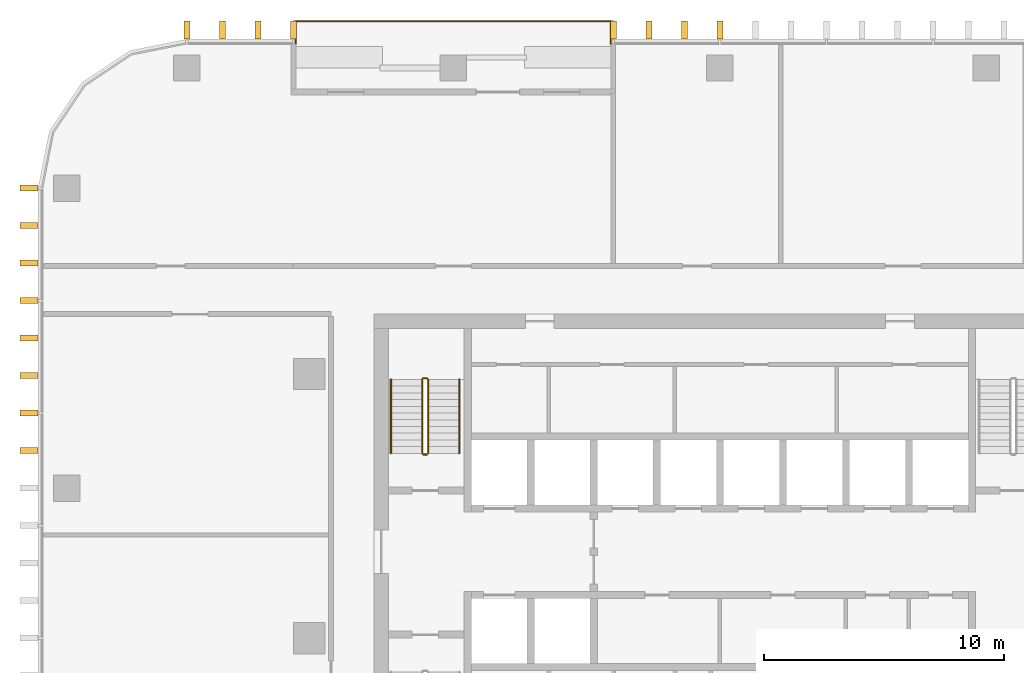
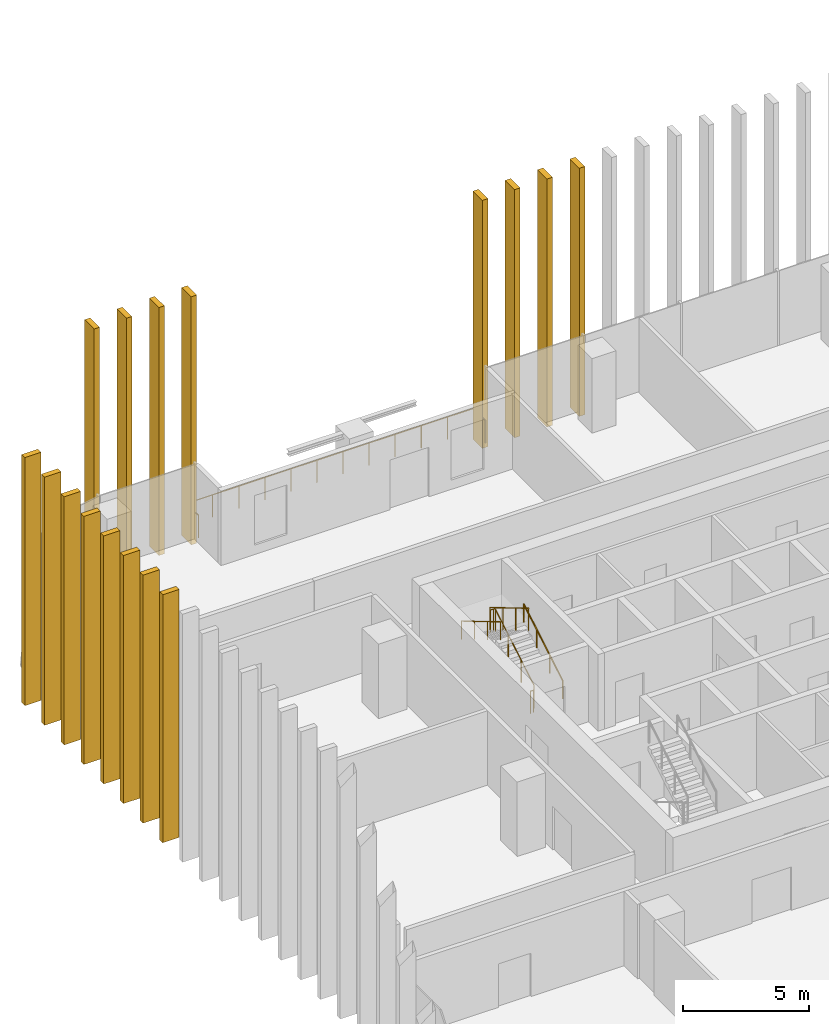
# One storey, part 14 of 15: 16 shading devices, 6 railings.
"""IFC4 building model written with IfcOpenShell, lengths in metres."""

from ifc_helpers import new_model, si_unit, direction, frame, origin, origin_2d, place, context, subcontext, project, spatial, rectangle, circle, extrude, material, type_object, element, save


model = new_model("IFC4")

# Units and contexts
model_context = context("Model", 3, precision=1e-05, world=origin(), true_north=direction((0.0, 1.0)))
body_context = subcontext(model_context, "Body", "Model", "MODEL_VIEW")
ifc_project = project(units=[si_unit("LENGTHUNIT", "METRE"), si_unit("AREAUNIT", "SQUARE_METRE"), si_unit("VOLUMEUNIT", "CUBIC_METRE"), si_unit("PLANEANGLEUNIT", "RADIAN"), si_unit("MASSUNIT", "GRAM", prefix="KILO")], contexts=[model_context])

# Site, building, storey
site_placement = place(None, origin())
site = spatial("IfcSite", under=ifc_project, at=site_placement, CompositionType="ELEMENT")
building_placement = place(site_placement, origin())
building = spatial("IfcBuilding", under=site, at=building_placement, Name="Mopane Tessera Tower", CompositionType="ELEMENT")
storey_placement = place(building_placement, frame((0.0, 0.0, 211.0)))
storey = spatial("IfcBuildingStorey", under=building, at=storey_placement, Name="L44", CompositionType="ELEMENT", Elevation=211.0)

# Shading devices
ifc_material_1 = material(Name="Glazed ceramic tile")
shading_device_type = type_object("IfcShadingDeviceType", Name="Ceramic tile fin 750 x 250 mm", PredefinedType="USERDEFINED", material=ifc_material_1)
for number, where, z_axis, x_axis, name in (
    (1, (0.0, 25.324951171875, -0.39990234375), (0.0, 0.0, 1.0), (-1.0, 0.0, 0.0), "e:fin:L44:N:5:0"),
    (2, (-1.47998046875, 25.324951171875, -0.39990234375), (0.0, 0.0, 1.0), (-1.0, 0.0, 0.0), "e:fin:L44:N:5:1"),
    (3, (-2.9599609375, 25.324951171875, -0.39990234375), (0.0, 0.0, 1.0), (-1.0, 0.0, 0.0), "e:fin:L44:N:5:2"),
    (4, (-4.43994140625, 25.324951171875, -0.39990234375), (0.0, 0.0, 1.0), (-1.0, 0.0, 0.0), "e:fin:L44:N:5:3"),
    (5, (-17.760009765625, 25.324951171875, -0.39990234375), (0.0, 0.0, 1.0), (-1.0, 0.0, 0.0), "e:fin:L44:N:9:0"),
    (6, (-19.239990234375, 25.324951171875, -0.39990234375), (0.0, 0.0, 1.0), (-1.0, 0.0, 0.0), "e:fin:L44:N:9:1"),
    (7, (-20.719970703125, 25.324951171875, -0.39990234375), (0.0, 0.0, 1.0), (-1.0, 0.0, 0.0), "e:fin:L44:N:9:2"),
    (8, (-22.199951171875, 25.324951171875, -0.39990234375), (0.0, 0.0, 1.0), (-1.0, 0.0, 0.0), "e:fin:L44:N:9:3"),
    (9, (-28.77490234375, 18.75, -0.39990234375), (0.0, 0.0, 1.0), (0.0, -1.0, 0.0), "e:fin:L44:W:0:0"),
    (10, (-28.77490234375, 17.1875, -0.39990234375), (0.0, 0.0, 1.0), (0.0, -1.0, 0.0), "e:fin:L44:W:0:1"),
    (11, (-28.77490234375, 15.625, -0.39990234375), (0.0, 0.0, 1.0), (0.0, -1.0, 0.0), "e:fin:L44:W:0:2"),
    (12, (-28.77490234375, 14.0625, -0.39990234375), (0.0, 0.0, 1.0), (0.0, -1.0, 0.0), "e:fin:L44:W:1:0"),
    (13, (-28.77490234375, 12.5, -0.39990234375), (0.0, 0.0, 1.0), (0.0, -1.0, 0.0), "e:fin:L44:W:1:1"),
    (14, (-28.77490234375, 10.9375, -0.39990234375), (0.0, 0.0, 1.0), (0.0, -1.0, 0.0), "e:fin:L44:W:1:2"),
    (15, (-28.77490234375, 9.375, -0.39990234375), (0.0, 0.0, 1.0), (0.0, -1.0, 0.0), "e:fin:L44:W:2:0"),
    (16, (-28.77490234375, 7.8125, -0.39990234375), (0.0, 0.0, 1.0), (0.0, -1.0, 0.0), "e:fin:L44:W:2:1"),
):
    element("IfcShadingDevice", number, at=place(storey_placement, frame(where, z_axis=z_axis, x_axis=x_axis)), inside=storey, type_object=shading_device_type, Name=name, ObjectType="FIN", PredefinedType="USERDEFINED", context=body_context, shape_type="SweptSolid", body=[
        extrude(rectangle(XDim=0.25, YDim=0.75, at=origin_2d()), origin(), (0.0, 0.0, 1.0), 12.0),
    ])

# Railings
ifc_material_2 = material(Name="Powder-coated steel balustrade", Category="steel")
railing_type_1 = type_object("IfcRailingType", Name="Escape stair guard 1100 mm", PredefinedType="GUARDRAIL", material=ifc_material_2)
railing_1_placement = place(storey_placement, frame((-12.14990234375, 7.699951171875, 0.166748046875)))
element("IfcRailing", 17, at=railing_1_placement, inside=storey, type_object=railing_type_1, Name="L44 ST2 stair guard 1", PredefinedType="GUARDRAIL", context=body_context, shape_type="SweptSolid", body=[
    extrude(circle(Radius=0.02392578125, at=origin_2d()), frame((0.0, 0.0, 1.076171875), z_axis=(0.0, 0.859308565015, 0.511457515432), x_axis=(-1.0, 0.0, 0.0)), (0.0, 0.0, 1.0), 3.58447265625),
    extrude(circle(Radius=0.02392578125, at=origin_2d()), frame((0.0, 3.080078125, 2.9091796875), z_axis=(-0.707106781187, 0.707106781187, 0.0), x_axis=(-0.707106781187, -0.707106781187, 0.0)), (0.0, 0.0, 1.0), 0.07080078125),
    extrude(circle(Radius=0.02392578125, at=origin_2d()), frame((-0.050048828125, 3.130126953125, 2.9091796875), z_axis=(-1.0, 0.0, 0.0), x_axis=(0.0, -1.0, 0.0)), (0.0, 0.0, 1.0), 0.150146484375),
    extrude(circle(Radius=0.02099609375, at=origin_2d()), origin(), (0.0, 0.0, 1.0), 1.052001953125),
    extrude(circle(Radius=0.02099609375, at=origin_2d()), frame((0.0, 1.026611328125, 0.611083984375)), (0.0, 0.0, 1.0), 1.052001953125),
    extrude(circle(Radius=0.02099609375, at=origin_2d()), frame((0.0, 2.053466796875, 1.22216796875)), (0.0, 0.0, 1.0), 1.052001953125),
    extrude(circle(Radius=0.02099609375, at=origin_2d()), frame((0.0, 3.080078125, 1.833251953125)), (0.0, 0.0, 1.0), 1.052001953125),
    extrude(circle(Radius=0.02099609375, at=origin_2d()), frame((-0.050048828125, 3.130126953125, 1.833251953125)), (0.0, 0.0, 1.0), 1.052001953125),
    extrude(circle(Radius=0.02099609375, at=origin_2d()), frame((-0.2001953125, 3.130126953125, 1.833251953125)), (0.0, 0.0, 1.0), 1.052001953125),
])
railing_2_placement = place(storey_placement, frame((-12.39990234375, 10.780029296875, 2.166748046875)))
element("IfcRailing", 18, at=railing_2_placement, inside=storey, type_object=railing_type_1, Name="L44 ST2 stair guard 2", PredefinedType="GUARDRAIL", context=body_context, shape_type="SweptSolid", body=[
    extrude(circle(Radius=0.02392578125, at=origin_2d()), frame((0.0, 0.0, 1.076171875), z_axis=(0.0, -0.859308565015, 0.511457515432), x_axis=(1.0, 0.0, 0.0)), (0.0, 0.0, 1.0), 3.58447265625),
    extrude(circle(Radius=0.02099609375, at=origin_2d()), origin(), (0.0, 0.0, 1.0), 1.052001953125),
    extrude(circle(Radius=0.02099609375, at=origin_2d()), frame((0.0, -1.026611328125, 0.611083984375)), (0.0, 0.0, 1.0), 1.052001953125),
    extrude(circle(Radius=0.02099609375, at=origin_2d()), frame((0.0, -2.053466796875, 1.22216796875)), (0.0, 0.0, 1.0), 1.052001953125),
    extrude(circle(Radius=0.02099609375, at=origin_2d()), frame((0.0, -3.080078125, 1.833251953125)), (0.0, 0.0, 1.0), 1.052001953125),
])
railing_3_placement = place(storey_placement, frame((-12.199951171875, 7.64990234375, 0.0)))
element("IfcRailing", 19, at=railing_3_placement, inside=storey, type_object=railing_type_1, Name="L44 ST2 stair guard 3", PredefinedType="GUARDRAIL", context=body_context, shape_type="SweptSolid", body=[
    extrude(circle(Radius=0.02392578125, at=origin_2d()), frame((0.0, 0.0, 1.076171875), z_axis=(-1.0, 0.0, 0.0), x_axis=(0.0, -1.0, 0.0)), (0.0, 0.0, 1.0), 0.150146484375),
    extrude(circle(Radius=0.02099609375, at=origin_2d()), origin(), (0.0, 0.0, 1.0), 1.052001953125),
    extrude(circle(Radius=0.02099609375, at=origin_2d()), frame((-0.150146484375, 0.0, 0.0)), (0.0, 0.0, 1.0), 1.052001953125),
])
ifc_material_3 = material(Name="Powder-coated steel balustrade", Category="steel")
railing_type_2 = type_object("IfcRailingType", Name="Escape stair handrail 900 mm", PredefinedType="HANDRAIL", material=ifc_material_3)
railing_4_placement = place(storey_placement, frame((-10.85009765625, 7.699951171875, 0.166748046875)))
element("IfcRailing", 20, at=railing_4_placement, inside=storey, type_object=railing_type_2, Name="L44 ST2 stair handrail 1", PredefinedType="HANDRAIL", context=body_context, shape_type="SweptSolid", body=[
    extrude(circle(Radius=0.02392578125, at=origin_2d()), frame((0.0, 0.0, 0.8759765625), z_axis=(0.0, 0.859308565015, 0.511457515432), x_axis=(-1.0, 0.0, 0.0)), (0.0, 0.0, 1.0), 3.58447265625),
    extrude(circle(Radius=0.02099609375, at=origin_2d()), origin(), (0.0, 0.0, 1.0), 0.851806640625),
    extrude(circle(Radius=0.02099609375, at=origin_2d()), frame((0.0, 1.026611328125, 0.611083984375)), (0.0, 0.0, 1.0), 0.851806640625),
    extrude(circle(Radius=0.02099609375, at=origin_2d()), frame((0.0, 2.053466796875, 1.22216796875)), (0.0, 0.0, 1.0), 0.851806640625),
    extrude(circle(Radius=0.02099609375, at=origin_2d()), frame((0.0, 3.080078125, 1.833251953125)), (0.0, 0.0, 1.0), 0.851806640625),
])
railing_5_placement = place(storey_placement, frame((-13.699951171875, 10.780029296875, 2.166748046875)))
element("IfcRailing", 21, at=railing_5_placement, inside=storey, type_object=railing_type_2, Name="L44 ST2 stair handrail 2", PredefinedType="HANDRAIL", context=body_context, shape_type="SweptSolid", body=[
    extrude(circle(Radius=0.02392578125, at=origin_2d()), frame((0.0, 0.0, 0.8759765625), z_axis=(0.0, -0.859308565015, 0.511457515432), x_axis=(1.0, 0.0, 0.0)), (0.0, 0.0, 1.0), 3.58447265625),
    extrude(circle(Radius=0.02099609375, at=origin_2d()), origin(), (0.0, 0.0, 1.0), 0.851806640625),
    extrude(circle(Radius=0.02099609375, at=origin_2d()), frame((0.0, -1.026611328125, 0.611083984375)), (0.0, 0.0, 1.0), 0.851806640625),
    extrude(circle(Radius=0.02099609375, at=origin_2d()), frame((0.0, -2.053466796875, 1.22216796875)), (0.0, 0.0, 1.0), 0.851806640625),
    extrude(circle(Radius=0.02099609375, at=origin_2d()), frame((0.0, -3.080078125, 1.833251953125)), (0.0, 0.0, 1.0), 0.851806640625),
])
ifc_material_4 = material(Name="Stainless steel S316", Category="steel")
railing_type_3 = type_object("IfcRailingType", Name="Terrace guard 1100", PredefinedType="GUARDRAIL", material=ifc_material_4)
railing_6_placement = place(storey_placement, frame((-4.5400390625, 24.75, 0.0)))
element("IfcRailing", 22, at=railing_6_placement, inside=storey, type_object=railing_type_3, Name="e:nw:L44:N3:guard", PredefinedType="GUARDRAIL", context=body_context, shape_type="SweptSolid", body=[
    extrude(circle(Radius=0.02392578125, at=origin_2d()), frame((0.0, 0.0, 1.076171875), z_axis=(0.0, 1.0, 0.0), x_axis=(-1.0, 0.0, 0.0)), (0.0, 0.0, 1.0), 0.949951171875),
    extrude(circle(Radius=0.02392578125, at=origin_2d()), frame((0.0, 0.949951171875, 1.076171875), z_axis=(-1.0, 0.0, 0.0), x_axis=(0.0, -1.0, 0.0)), (0.0, 0.0, 1.0), 13.119873046875),
    extrude(circle(Radius=0.02392578125, at=origin_2d()), frame((-13.119873046875, 0.949951171875, 1.076171875), z_axis=(0.0, -1.0, 0.0), x_axis=(1.0, 0.0, 0.0)), (0.0, 0.0, 1.0), 0.949951171875),
    extrude(circle(Radius=0.02099609375, at=origin_2d()), origin(), (0.0, 0.0, 1.0), 1.052001953125),
    extrude(circle(Radius=0.02099609375, at=origin_2d()), frame((0.0, 0.949951171875, 0.0)), (0.0, 0.0, 1.0), 1.052001953125),
    extrude(circle(Radius=0.02099609375, at=origin_2d()), frame((-1.192626953125, 0.949951171875, 0.0)), (0.0, 0.0, 1.0), 1.052001953125),
    extrude(circle(Radius=0.02099609375, at=origin_2d()), frame((-2.385498046875, 0.949951171875, 0.0)), (0.0, 0.0, 1.0), 1.052001953125),
    extrude(circle(Radius=0.02099609375, at=origin_2d()), frame((-3.578125, 0.949951171875, 0.0)), (0.0, 0.0, 1.0), 1.052001953125),
    extrude(circle(Radius=0.02099609375, at=origin_2d()), frame((-4.770751953125, 0.949951171875, 0.0)), (0.0, 0.0, 1.0), 1.052001953125),
    extrude(circle(Radius=0.02099609375, at=origin_2d()), frame((-5.963623046875, 0.949951171875, 0.0)), (0.0, 0.0, 1.0), 1.052001953125),
    extrude(circle(Radius=0.02099609375, at=origin_2d()), frame((-7.15625, 0.949951171875, 0.0)), (0.0, 0.0, 1.0), 1.052001953125),
    extrude(circle(Radius=0.02099609375, at=origin_2d()), frame((-8.34912109375, 0.949951171875, 0.0)), (0.0, 0.0, 1.0), 1.052001953125),
    extrude(circle(Radius=0.02099609375, at=origin_2d()), frame((-9.541748046875, 0.949951171875, 0.0)), (0.0, 0.0, 1.0), 1.052001953125),
    extrude(circle(Radius=0.02099609375, at=origin_2d()), frame((-10.734375, 0.949951171875, 0.0)), (0.0, 0.0, 1.0), 1.052001953125),
    extrude(circle(Radius=0.02099609375, at=origin_2d()), frame((-11.92724609375, 0.949951171875, 0.0)), (0.0, 0.0, 1.0), 1.052001953125),
    extrude(circle(Radius=0.02099609375, at=origin_2d()), frame((-13.119873046875, 0.949951171875, 0.0)), (0.0, 0.0, 1.0), 1.052001953125),
    extrude(circle(Radius=0.02099609375, at=origin_2d()), frame((-13.119873046875, 0.0, 0.0)), (0.0, 0.0, 1.0), 1.052001953125),
])

save(model, "model.ifc")
